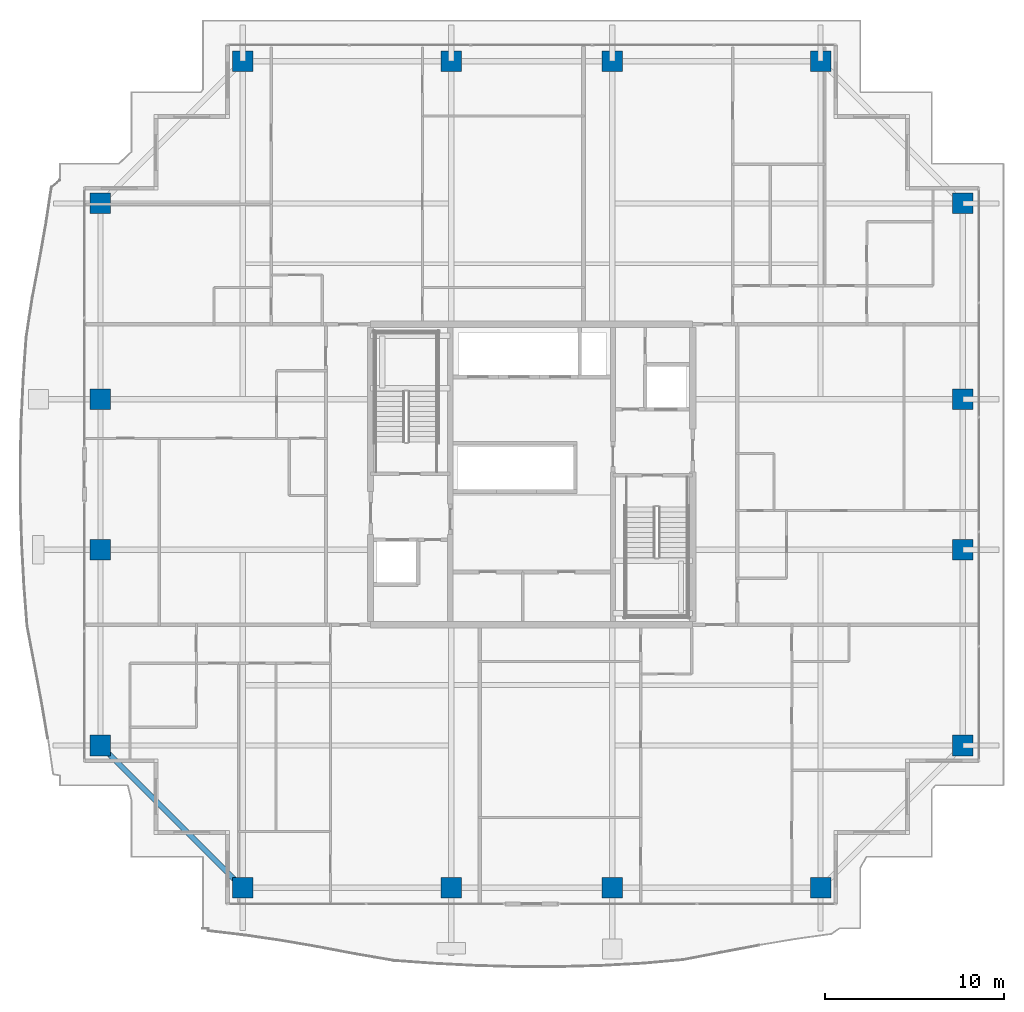
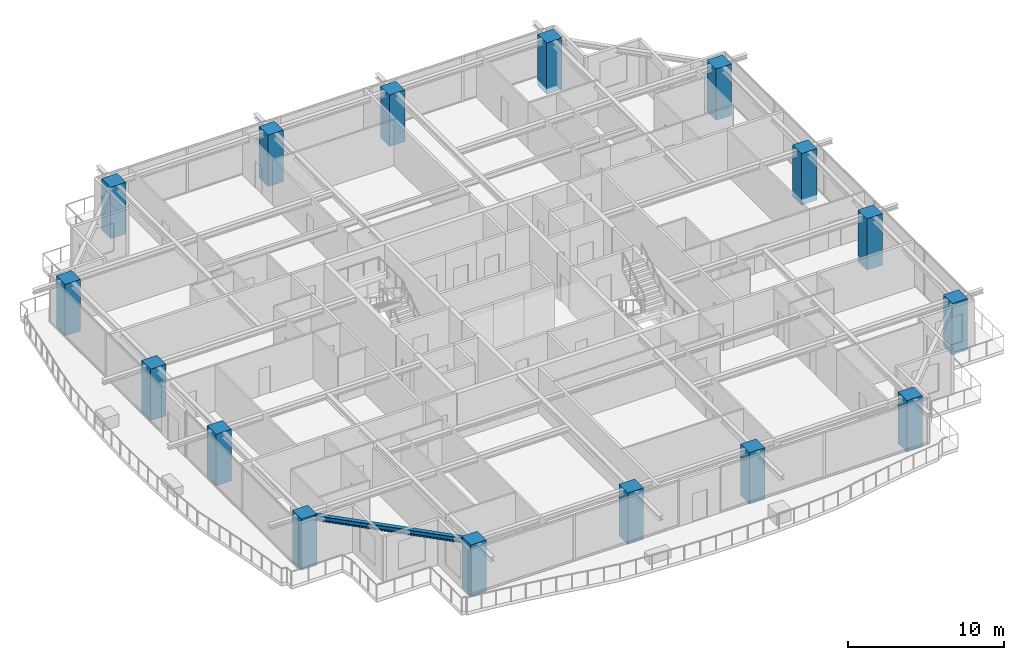
# One storey, part 1 of 35: 16 columns, 1 beam.
"""IFC4 building model written with IfcOpenShell, lengths in metres."""

from ifc_helpers import new_model, si_unit, direction, frame, origin, origin_2d, place, context, subcontext, project, spatial, rectangle, i_section, extrude, source, transform, mapped, material, material_profile, profile_set, type_object, element, save


model = new_model("IFC4")

# Units and contexts
model_context = context("Model", 3, precision=1e-05, world=origin(), true_north=direction((0.0, 1.0)))
body_context = subcontext(model_context, "Body", "Model", "MODEL_VIEW")
ifc_project = project(units=[si_unit("LENGTHUNIT", "METRE"), si_unit("AREAUNIT", "SQUARE_METRE"), si_unit("VOLUMEUNIT", "CUBIC_METRE"), si_unit("PLANEANGLEUNIT", "RADIAN"), si_unit("MASSUNIT", "GRAM", prefix="KILO")], contexts=[model_context])

# Site, building, storey
site_placement = place(None, origin())
site = spatial("IfcSite", under=ifc_project, at=site_placement, CompositionType="ELEMENT")
building_placement = place(site_placement, origin())
building = spatial("IfcBuilding", under=site, at=building_placement, Name="Serunith Strait Residences", CompositionType="ELEMENT")
storey_placement = place(building_placement, frame((0.0, 0.0, 210.449951171875)))
storey = spatial("IfcBuildingStorey", under=building, at=storey_placement, Name="L52", CompositionType="ELEMENT", Elevation=210.449951171875)

# Columns
ifc_material_1 = material(Name="Concrete C80/95", Category="concrete")
ifc_material_profile_1 = material_profile(ifc_material_1, rectangle(XDim=1.14990234375, YDim=1.14990234375, at=origin_2d()), Name="RC 1150x1150")
ifc_profile_set_1 = profile_set([ifc_material_profile_1], Name="Concrete C80/95")
column_type = type_object("IfcColumnType", Name="COL-RC-1150", PredefinedType="COLUMN", material=ifc_profile_set_1)
shared_shape_1 = source(origin(), body_context, "Body", "SweptSolid", [
    extrude(rectangle(XDim=1.14990234375, YDim=1.14990234375, at=origin_2d()), origin(), (0.0, 0.0, 1.0), 4.030029296875),
])
for number, where, z_axis, x_axis, name in (
    (1, (16.25, 2.10009765625, -0.43994140625), (0.0, 0.0, 1.0), (1.0, 0.0, 0.0), "L52 Tower Mega-Column TC-S1"),
    (2, (27.89990234375, 2.10009765625, -0.43994140625), (0.0, 0.0, 1.0), (1.0, 0.0, 0.0), "L52 Tower Mega-Column TC-S2"),
    (3, (36.89990234375, 2.10009765625, -0.43994140625), (0.0, 0.0, 1.0), (1.0, 0.0, 0.0), "L52 Tower Mega-Column TC-S3"),
    (4, (48.550048828125, 2.10009765625, -0.43994140625), (0.0, 0.0, 1.0), (1.0, 0.0, 0.0), "L52 Tower Mega-Column TC-S4"),
    (5, (16.25, 48.300048828125, -0.43994140625), (0.0, 0.0, 1.0), (1.0, 0.0, 0.0), "L52 Tower Mega-Column TC-N1"),
    (6, (27.89990234375, 48.300048828125, -0.43994140625), (0.0, 0.0, 1.0), (1.0, 0.0, 0.0), "L52 Tower Mega-Column TC-N2"),
    (7, (36.89990234375, 48.300048828125, -0.43994140625), (0.0, 0.0, 1.0), (1.0, 0.0, 0.0), "L52 Tower Mega-Column TC-N3"),
    (8, (48.550048828125, 48.300048828125, -0.43994140625), (0.0, 0.0, 1.0), (1.0, 0.0, 0.0), "L52 Tower Mega-Column TC-N4"),
    (9, (56.5, 10.050048828125, -0.43994140625), (0.0, 0.0, 1.0), (1.0, 0.0, 0.0), "L52 Tower Mega-Column TC-E1"),
    (10, (56.5, 21.0, -0.43994140625), (0.0, 0.0, 1.0), (1.0, 0.0, 0.0), "L52 Tower Mega-Column TC-E2"),
    (11, (56.5, 29.39990234375, -0.43994140625), (0.0, 0.0, 1.0), (1.0, 0.0, 0.0), "L52 Tower Mega-Column TC-E3"),
    (12, (56.5, 40.35009765625, -0.43994140625), (0.0, 0.0, 1.0), (1.0, 0.0, 0.0), "L52 Tower Mega-Column TC-E4"),
    (13, (8.300048828125, 10.050048828125, -0.43994140625), (0.0, 0.0, 1.0), (1.0, 0.0, 0.0), "L52 Tower Mega-Column TC-W1"),
    (14, (8.300048828125, 21.0, -0.43994140625), (0.0, 0.0, 1.0), (1.0, 0.0, 0.0), "L52 Tower Mega-Column TC-W2"),
    (15, (8.300048828125, 29.39990234375, -0.43994140625), (0.0, 0.0, 1.0), (1.0, 0.0, 0.0), "L52 Tower Mega-Column TC-W3"),
    (16, (8.300048828125, 40.35009765625, -0.43994140625), (0.0, 0.0, 1.0), (1.0, 0.0, 0.0), "L52 Tower Mega-Column TC-W4"),
):
    element("IfcColumn", number, at=place(storey_placement, frame(where, z_axis=z_axis, x_axis=x_axis)), inside=storey, type_object=column_type, Name=name, PredefinedType="COLUMN", context=body_context, shape_type="MappedRepresentation", body=[
        mapped(shared_shape_1, transform((0.0, 0.0, 0.0), scale=1.0)),
    ])

# Beam
ifc_material_2 = material(Name="Steel S355J2", Category="steel")
ifc_material_profile_2 = material_profile(ifc_material_2, i_section(OverallWidth=0.300048828125, OverallDepth=0.39990234375, WebThickness=0.013427734375, FlangeThickness=0.02392578125, FilletRadius=0.027099609375, at=origin_2d()), Name="HEB 400")
ifc_profile_set_2 = profile_set([ifc_material_profile_2], Name="Steel S355J2")
beam_type = type_object("IfcBeamType", Name="BM-HEB400", PredefinedType="BEAM", material=ifc_profile_set_2)
shared_shape_2 = source(origin(), body_context, "Body", "SweptSolid", [
    extrude(i_section(OverallWidth=0.300048828125, OverallDepth=0.39990234375, WebThickness=0.013427734375, FlangeThickness=0.02392578125, FilletRadius=0.027099609375, at=origin_2d()), origin(), (0.0, 0.0, 1.0), 11.242919921875),
])
beam_placement = place(storey_placement, frame((8.300048828125, 10.050048828125, 3.35693359375), z_axis=(0.707106781187, -0.707106781187, 0.0), x_axis=(0.707106781187, 0.707106781187, 0.0)))
element("IfcBeam", 17, at=beam_placement, inside=storey, type_object=beam_type, Name="L52 Perimeter Ring Beam 16", PredefinedType="BEAM", context=body_context, shape_type="MappedRepresentation", body=[
    mapped(shared_shape_2, transform((0.0, 0.0, 0.0), scale=1.0)),
])

save(model, "model.ifc")
